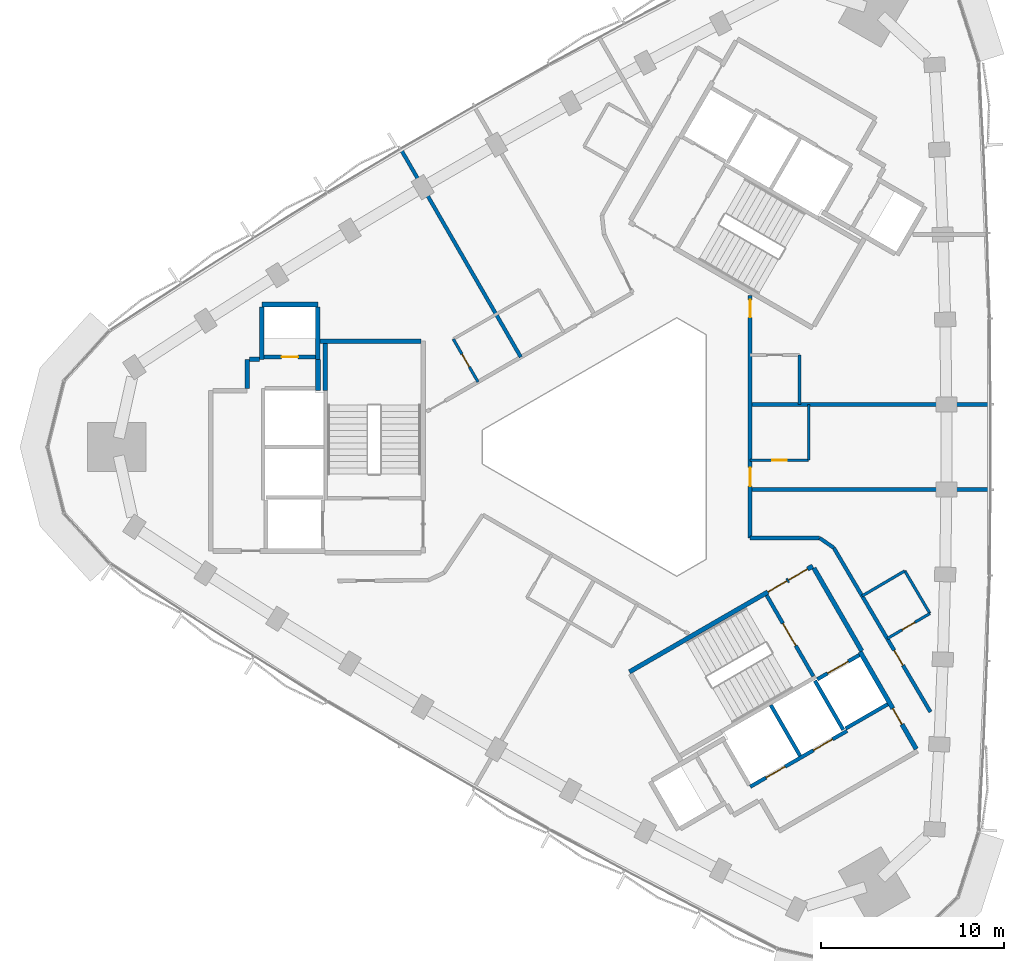
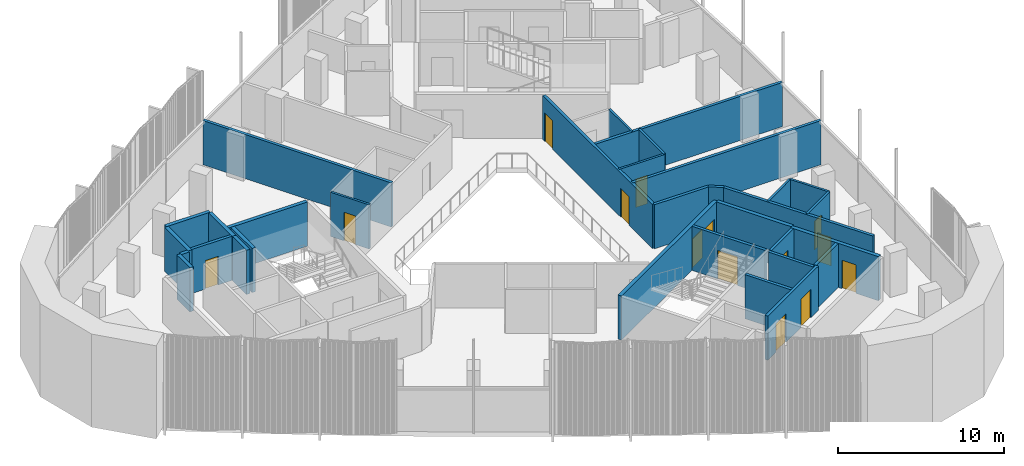
# One storey, part 8 of 13: 32 walls, 14 doors, 14 openings.
"""IFC4 building model written with IfcOpenShell, lengths in metres."""

from ifc_helpers import new_model, si_unit, direction, frame, frame_2d, origin, place, context, subcontext, project, spatial, rectangle, extrude, material, layer, layer_set, type_object, element, fill, save


model = new_model("IFC4")

# Units and contexts
model_context = context("Model", 3, precision=1e-05, world=origin(), true_north=direction((0.0, 1.0)))
body_context = subcontext(model_context, "Body", "Model", "MODEL_VIEW")
ifc_project = project(units=[si_unit("LENGTHUNIT", "METRE"), si_unit("AREAUNIT", "SQUARE_METRE"), si_unit("VOLUMEUNIT", "CUBIC_METRE"), si_unit("PLANEANGLEUNIT", "RADIAN"), si_unit("MASSUNIT", "GRAM", prefix="KILO")], contexts=[model_context])

# Site, building, storey
site_placement = place(None, origin())
site = spatial("IfcSite", under=ifc_project, at=site_placement, CompositionType="ELEMENT")
building_placement = place(site_placement, origin())
building = spatial("IfcBuilding", under=site, at=building_placement, Name="Tamra Quay Hotel Tower", CompositionType="ELEMENT")
storey_placement = place(building_placement, frame((0.0, 0.0, 186.39990234375)))
storey = spatial("IfcBuildingStorey", under=building, at=storey_placement, Name="L46", CompositionType="ELEMENT", Elevation=186.39990234375)

# Wall, opening, door
ifc_material_1 = material(Name="Concrete M70", Category="concrete")
ifc_layer_1 = layer(ifc_material_1, 0.199951171875)
ifc_layer_set_1 = layer_set([ifc_layer_1], Name="Concrete M70 core wall 200")
wall_type_1 = type_object("IfcWallType", Name="Concrete M70 core wall 200", PredefinedType="SHEAR", material=ifc_layer_set_1)
wall_1_placement = place(storey_placement, frame((-19.51123046875, 4.91015625, 0.0), z_axis=(0.0, 0.0, 1.0), x_axis=(1.0, 0.0, 0.0)))
wall_1 = element("IfcWall", 1, at=wall_1_placement, inside=storey, type_object=wall_type_1, Name="CW2", PredefinedType="SHEAR", context=body_context, shape_type="SweptSolid", body=[
    extrude(rectangle(XDim=2.7978515625, YDim=0.199951171875, at=frame_2d((1.39892578125, 0.0))), origin(), (0.0, 0.0, 1.0), 3.25),
])
opening_1_placement = place(wall_1_placement, frame((0.948974609375, 0.0, 0.0)))
opening_1 = element("IfcOpeningElement", 2, at=opening_1_placement, cuts=wall_1, Name="Opening D1", PredefinedType="OPENING", context=body_context, shape_type="SweptSolid", body=[
    extrude(rectangle(XDim=0.89990234375, YDim=2.10009765625, at=frame_2d((0.449951171875, 1.050048828125))), frame((0.0, 0.10986328125, 0.0), z_axis=(0.0, -1.0, 0.0), x_axis=(1.0, 0.0, 0.0)), (0.0, 0.0, 1.0), 0.219970703125),
])
ifc_material_2 = material(Name="Core door D1 900x2100 RH")
door_type_1 = type_object("IfcDoorType", Name="Core door D1 900x2100 RH", OperationType="NOTDEFINED", PredefinedType="DOOR", material=ifc_material_2)
door_1_placement = place(opening_1_placement, origin())
door_1 = element("IfcDoor", 3, at=door_1_placement, inside=storey, type_object=door_type_1, Name="D1", OperationType="SINGLE_SWING_RIGHT", OverallHeight=2.10009765625, OverallWidth=0.89990234375, PredefinedType="DOOR", context=body_context, shape_type="SweptSolid", body=[
    extrude(rectangle(XDim=0.89990234375, YDim=2.10009765625, at=frame_2d((0.449951171875, 1.050048828125))), frame((0.0, 0.02490234375, 0.0), z_axis=(0.0, -1.0, 0.0), x_axis=(1.0, 0.0, 0.0)), (0.0, 0.0, 1.0), 0.050048828125),
])
fill(opening_1, door_1)

# Wall, openings, doors
wall_2_placement = place(storey_placement, frame((7.009765625, -18.54150390625, 0.0), z_axis=(0.0, 0.0, 1.0), x_axis=(0.866030299012, 0.499991521122, 0.0)))
wall_2 = element("IfcWall", 4, at=wall_2_placement, inside=storey, type_object=wall_type_1, Name="CW2", PredefinedType="SHEAR", context=body_context, shape_type="SweptSolid", body=[
    extrude(rectangle(XDim=6.10009765625, YDim=0.199951171875, at=frame_2d((3.050048828125, 0.0))), origin(), (0.0, 0.0, 1.0), 3.25),
])
opening_2_placement = place(wall_2_placement, frame((1.0, 0.0, 0.0)))
opening_2 = element("IfcOpeningElement", 5, at=opening_2_placement, cuts=wall_2, Name="Opening LD", PredefinedType="OPENING", context=body_context, shape_type="SweptSolid", body=[
    extrude(rectangle(XDim=1.199951171875, YDim=2.10009765625, at=frame_2d((0.60009765625, 1.050048828125))), frame((0.0, 0.10986328125, 0.0), z_axis=(0.0, -1.0, 0.0), x_axis=(1.0, 0.0, 0.0)), (0.0, 0.0, 1.0), 0.219970703125),
])
opening_3_placement = place(wall_2_placement, frame((3.982177734375, 0.0, 0.0)))
opening_3 = element("IfcOpeningElement", 6, at=opening_3_placement, cuts=wall_2, Name="Opening LD", PredefinedType="OPENING", context=body_context, shape_type="SweptSolid", body=[
    extrude(rectangle(XDim=1.199951171875, YDim=2.10009765625, at=frame_2d((0.60009765625, 1.050048828125))), frame((0.0, 0.10986328125, 0.0), z_axis=(0.0, -1.0, 0.0), x_axis=(1.0, 0.0, 0.0)), (0.0, 0.0, 1.0), 0.219970703125),
])
ifc_material_3 = material(Name="Landing door LD 1200 double door sliding")
door_type_2 = type_object("IfcDoorType", Name="Landing door LD 1200 double door sliding", OperationType="DOUBLE_DOOR_SLIDING", PredefinedType="DOOR", material=ifc_material_3)
door_2_placement = place(opening_2_placement, origin())
door_2 = element("IfcDoor", 7, at=door_2_placement, inside=storey, type_object=door_type_2, Name="LD", OperationType="DOUBLE_DOOR_SLIDING", OverallHeight=2.10009765625, OverallWidth=1.199951171875, PredefinedType="DOOR", context=body_context, shape_type="SweptSolid", body=[
    extrude(rectangle(XDim=1.199951171875, YDim=2.10009765625, at=frame_2d((0.60009765625, 1.050048828125))), frame((0.0, 0.02490234375, 0.0), z_axis=(0.0, -1.0, 0.0), x_axis=(1.0, 0.0, 0.0)), (0.0, 0.0, 1.0), 0.050048828125),
])
fill(opening_2, door_2)
door_3_placement = place(opening_3_placement, origin())
door_3 = element("IfcDoor", 8, at=door_3_placement, inside=storey, type_object=door_type_2, Name="LD", OperationType="DOUBLE_DOOR_SLIDING", OverallHeight=2.10009765625, OverallWidth=1.199951171875, PredefinedType="DOOR", context=body_context, shape_type="SweptSolid", body=[
    extrude(rectangle(XDim=1.199951171875, YDim=2.10009765625, at=frame_2d((0.60009765625, 1.050048828125))), frame((0.0, 0.02490234375, 0.0), z_axis=(0.0, -1.0, 0.0), x_axis=(1.0, 0.0, 0.0)), (0.0, 0.0, 1.0), 0.050048828125),
])
fill(opening_3, door_3)

# Wall, opening, door
wall_3_placement = place(storey_placement, frame((7.906494140625, -8.094482421875, 0.0), z_axis=(0.0, 0.0, 1.0), x_axis=(0.500027839223, -0.866009330205, 0.0)))
wall_3 = element("IfcWall", 9, at=wall_3_placement, inside=storey, type_object=wall_type_1, Name="CW2", PredefinedType="SHEAR", context=body_context, shape_type="SweptSolid", body=[
    extrude(rectangle(XDim=5.097900390625, YDim=0.199951171875, at=frame_2d((2.548828125, 0.0))), origin(), (0.0, 0.0, 1.0), 3.25),
])
opening_4_placement = place(wall_3_placement, frame((1.77392578125, 0.0, 0.0)))
opening_4 = element("IfcOpeningElement", 10, at=opening_4_placement, cuts=wall_3, Name="Opening FD2", PredefinedType="OPENING", context=body_context, shape_type="SweptSolid", body=[
    extrude(rectangle(XDim=1.39990234375, YDim=2.10009765625, at=frame_2d((0.699951171875, 1.050048828125))), frame((0.0, 0.10986328125, 0.0), z_axis=(0.0, -1.0, 0.0), x_axis=(1.0, 0.0, 0.0)), (0.0, 0.0, 1.0), 0.219970703125),
])
ifc_material_4 = material(Name="Core door FD2 1400x2100 RH")
door_type_3 = type_object("IfcDoorType", Name="Core door FD2 1400x2100 RH", OperationType="NOTDEFINED", PredefinedType="DOOR", material=ifc_material_4)
door_4_placement = place(opening_4_placement, origin())
door_4 = element("IfcDoor", 11, at=door_4_placement, inside=storey, type_object=door_type_3, Name="FD2", OperationType="SINGLE_SWING_RIGHT", OverallHeight=2.10009765625, OverallWidth=1.39990234375, PredefinedType="DOOR", context=body_context, shape_type="SweptSolid", body=[
    extrude(rectangle(XDim=1.39990234375, YDim=2.10009765625, at=frame_2d((0.699951171875, 1.050048828125))), frame((0.0, 0.02490234375, 0.0), z_axis=(0.0, -1.0, 0.0), x_axis=(1.0, 0.0, 0.0)), (0.0, 0.0, 1.0), 0.050048828125),
])
fill(opening_4, door_4)

# Walls
wall_4_placement = place(storey_placement, frame((8.131591796875, -14.084228515625, 0.0), z_axis=(0.0, 0.0, 1.0), x_axis=(0.499997778408, -0.866026686418, 0.0)))
element("IfcWall", 12, at=wall_4_placement, inside=storey, type_object=wall_type_1, Name="CW2", PredefinedType="SHEAR", context=body_context, shape_type="SweptSolid", body=[
    extrude(rectangle(XDim=3.1982421875, YDim=0.199951171875, at=frame_2d((1.59912109375, 0.0))), origin(), (0.0, 0.0, 1.0), 3.25),
])
wall_5_placement = place(storey_placement, frame((12.087646484375, -15.4365234375, 0.0), z_axis=(0.0, 0.0, 1.0), x_axis=(-0.500026960575, 0.86600983753, 0.0)))
element("IfcWall", 13, at=wall_5_placement, inside=storey, type_object=wall_type_1, Name="CW2", PredefinedType="SHEAR", context=body_context, shape_type="SweptSolid", body=[
    extrude(rectangle(XDim=3.099853515625, YDim=0.199951171875, at=frame_2d((1.5498046875, 0.0))), origin(), (0.0, 0.0, 1.0), 3.25),
])

# Wall, opening, door
wall_6_placement = place(storey_placement, frame((10.666015625, -12.677734375, 0.0), z_axis=(0.0, 0.0, 1.0), x_axis=(0.866018407898, 0.500012117035, 0.0)))
wall_6 = element("IfcWall", 14, at=wall_6_placement, inside=storey, type_object=wall_type_1, Name="CW2", PredefinedType="SHEAR", context=body_context, shape_type="SweptSolid", body=[
    extrude(rectangle(XDim=2.65087890625, YDim=0.199951171875, at=frame_2d((1.325439453125, 0.0))), origin(), (0.0, 0.0, 1.0), 3.25),
])
opening_5_placement = place(wall_6_placement, frame((0.65185546875, 0.0, 0.0)))
opening_5 = element("IfcOpeningElement", 15, at=opening_5_placement, cuts=wall_6, Name="Opening LD", PredefinedType="OPENING", context=body_context, shape_type="SweptSolid", body=[
    extrude(rectangle(XDim=1.300048828125, YDim=2.10009765625, at=frame_2d((0.64990234375, 1.050048828125))), frame((0.0, 0.10986328125, 0.0), z_axis=(0.0, -1.0, 0.0), x_axis=(1.0, 0.0, 0.0)), (0.0, 0.0, 1.0), 0.219970703125),
])
ifc_material_5 = material(Name="Landing door LD 1300 sliding to right")
door_type_4 = type_object("IfcDoorType", Name="Landing door LD 1300 sliding to right", OperationType="NOTDEFINED", PredefinedType="DOOR", material=ifc_material_5)
door_5_placement = place(opening_5_placement, origin())
door_5 = element("IfcDoor", 16, at=door_5_placement, inside=storey, type_object=door_type_4, Name="LD", OperationType="SLIDING_TO_RIGHT", OverallHeight=2.10009765625, OverallWidth=1.300048828125, PredefinedType="DOOR", context=body_context, shape_type="SweptSolid", body=[
    extrude(rectangle(XDim=1.300048828125, YDim=2.10009765625, at=frame_2d((0.64990234375, 1.050048828125))), frame((0.0, 0.02490234375, 0.0), z_axis=(0.0, -1.0, 0.0), x_axis=(1.0, 0.0, 0.0)), (0.0, 0.0, 1.0), 0.050048828125),
])
fill(opening_5, door_5)

# Walls
wall_7_placement = place(storey_placement, frame((14.51171875, -14.037109375, 0.0), z_axis=(0.0, 0.0, 1.0), x_axis=(-0.866018407898, -0.500012117035, 0.0)))
element("IfcWall", 17, at=wall_7_placement, inside=storey, type_object=wall_type_1, Name="CW2", PredefinedType="SHEAR", context=body_context, shape_type="SweptSolid", body=[
    extrude(rectangle(XDim=2.65087890625, YDim=0.199951171875, at=frame_2d((1.325439453125, 0.0))), origin(), (0.0, 0.0, 1.0), 3.25),
])
ifc_layer_2 = layer(ifc_material_1, 0.25)
ifc_layer_set_2 = layer_set([ifc_layer_2], Name="Concrete M70 core wall 250")
wall_type_2 = type_object("IfcWallType", Name="Concrete M70 core wall 250", PredefinedType="SHEAR", material=ifc_layer_set_2)
wall_8_placement = place(storey_placement, frame((-16.47216796875, 5.77490234375, 0.0), z_axis=(0.0, 0.0, 1.0), x_axis=(1.0, 0.0, 0.0)))
element("IfcWall", 18, at=wall_8_placement, inside=storey, type_object=wall_type_2, Name="CW1", PredefinedType="SHEAR", context=body_context, shape_type="SweptSolid", body=[
    extrude(rectangle(XDim=5.509521484375, YDim=0.25, at=frame_2d((2.7548828125, 0.0))), origin(), (0.0, 0.0, 1.0), 3.25),
])
wall_9_placement = place(storey_placement, frame((-19.63720703125, 7.77490234375, 0.0), z_axis=(0.0, 0.0, 1.0), x_axis=(1.0, 0.0, 0.0)))
element("IfcWall", 19, at=wall_9_placement, inside=storey, type_object=wall_type_2, Name="CW1", PredefinedType="SHEAR", context=body_context, shape_type="SweptSolid", body=[
    extrude(rectangle(XDim=3.0498046875, YDim=0.25, at=frame_2d((1.52490234375, 0.0))), origin(), (0.0, 0.0, 1.0), 3.25),
])
for number, where, z_axis, x_axis, name in (
    (20, (-16.58740234375, 7.649658203125, 0.0), (0.0, 0.0, 1.0), (0.0, -1.0, 0.0), "CW1"),
    (21, (-19.63720703125, 4.784912109375, 0.0), (0.0, 0.0, 1.0), (0.0, 1.0, 0.0), "CW1"),
):
    element("IfcWall", number, at=place(storey_placement, frame(where, z_axis=z_axis, x_axis=x_axis)), inside=storey, type_object=wall_type_2, Name=name, PredefinedType="SHEAR", context=body_context, shape_type="SweptSolid", body=[
        extrude(rectangle(XDim=2.86474609375, YDim=0.25, at=frame_2d((1.432373046875, 0.0))), origin(), (0.0, 0.0, 1.0), 3.25),
    ])
wall_10_placement = place(storey_placement, frame((-16.187255859375, 3.074951171875, 0.0), z_axis=(0.0, 0.0, 1.0), x_axis=(0.0, 1.0, 0.0)))
element("IfcWall", 22, at=wall_10_placement, inside=storey, type_object=wall_type_2, Name="CW1", PredefinedType="SHEAR", context=body_context, shape_type="SweptSolid", body=[
    extrude(rectangle(XDim=2.57470703125, YDim=0.25, at=frame_2d((1.287353515625, 0.0))), origin(), (0.0, 0.0, 1.0), 3.25),
])
wall_11_placement = place(storey_placement, frame((-16.577392578125, 4.784912109375, 0.0), z_axis=(0.0, 0.0, 1.0), x_axis=(0.0, -1.0, 0.0)))
element("IfcWall", 23, at=wall_11_placement, inside=storey, type_object=wall_type_2, Name="CW1", PredefinedType="SHEAR", context=body_context, shape_type="SweptSolid", body=[
    extrude(rectangle(XDim=1.7099609375, YDim=0.25, at=frame_2d((0.85498046875, 0.0))), origin(), (0.0, 0.0, 1.0), 3.25),
])
wall_12_placement = place(storey_placement, frame((-20.447265625, 3.200439453125, 0.0), z_axis=(0.0, 0.0, 1.0), x_axis=(0.0, 1.0, 0.0)))
element("IfcWall", 24, at=wall_12_placement, inside=storey, type_object=wall_type_2, Name="CW1", PredefinedType="SHEAR", context=body_context, shape_type="SweptSolid", body=[
    extrude(rectangle(XDim=1.58447265625, YDim=0.25, at=frame_2d((0.792236328125, 0.0))), origin(), (0.0, 0.0, 1.0), 3.25),
])
wall_13_placement = place(storey_placement, frame((-20.32177734375, 4.784912109375, 0.0), z_axis=(0.0, 0.0, 1.0), x_axis=(1.0, 0.0, 0.0)))
element("IfcWall", 25, at=wall_13_placement, inside=storey, type_object=wall_type_2, Name="CW1", PredefinedType="SHEAR", context=body_context, shape_type="SweptSolid", body=[
    extrude(rectangle(XDim=0.55908203125, YDim=0.25, at=frame_2d((0.279541015625, 0.0))), origin(), (0.0, 0.0, 1.0), 3.25),
])

# Wall, openings, doors
wall_14_placement = place(storey_placement, frame((0.417236328125, -12.27294921875, 0.0), z_axis=(0.0, 0.0, 1.0), x_axis=(0.866021906294, 0.500006057782, 0.0)))
wall_14 = element("IfcWall", 26, at=wall_14_placement, inside=storey, type_object=wall_type_2, Name="CW1", PredefinedType="SHEAR", context=body_context, shape_type="SweptSolid", body=[
    extrude(rectangle(XDim=11.550048828125, YDim=0.25, at=frame_2d((5.77490234375, 0.0))), origin(), (0.0, 0.0, 1.0), 3.25),
])
opening_6_placement = place(wall_14_placement, frame((10.024658203125, 0.0, 0.0)))
opening_6 = element("IfcOpeningElement", 27, at=opening_6_placement, cuts=wall_14, Name="Opening FD1", PredefinedType="OPENING", context=body_context, shape_type="SweptSolid", body=[
    extrude(rectangle(XDim=1.199951171875, YDim=2.10009765625, at=frame_2d((0.60009765625, 1.050048828125))), frame((0.0, 0.135009765625, 0.0), z_axis=(0.0, -1.0, 0.0), x_axis=(1.0, 0.0, 0.0)), (0.0, 0.0, 1.0), 0.27001953125),
])
opening_7_placement = place(wall_14_placement, frame((8.724609375, 0.0, 0.0)))
opening_7 = element("IfcOpeningElement", 28, at=opening_7_placement, cuts=wall_14, Name="Opening FD1", PredefinedType="OPENING", context=body_context, shape_type="SweptSolid", body=[
    extrude(rectangle(XDim=1.199951171875, YDim=2.10009765625, at=frame_2d((0.60009765625, 1.050048828125))), frame((0.0, 0.135009765625, 0.0), z_axis=(0.0, -1.0, 0.0), x_axis=(1.0, 0.0, 0.0)), (0.0, 0.0, 1.0), 0.27001953125),
])
ifc_material_6 = material(Name="Core door FD1 1200x2100 LH")
door_type_5 = type_object("IfcDoorType", Name="Core door FD1 1200x2100 LH", OperationType="NOTDEFINED", PredefinedType="DOOR", material=ifc_material_6)
door_6_placement = place(opening_6_placement, origin())
door_6 = element("IfcDoor", 29, at=door_6_placement, inside=storey, type_object=door_type_5, Name="FD1", OperationType="SINGLE_SWING_LEFT", OverallHeight=2.10009765625, OverallWidth=1.199951171875, PredefinedType="DOOR", context=body_context, shape_type="SweptSolid", body=[
    extrude(rectangle(XDim=1.199951171875, YDim=2.10009765625, at=frame_2d((0.60009765625, 1.050048828125))), frame((0.0, 0.02490234375, 0.0), z_axis=(0.0, -1.0, 0.0), x_axis=(1.0, 0.0, 0.0)), (0.0, 0.0, 1.0), 0.050048828125),
])
fill(opening_6, door_6)
ifc_material_7 = material(Name="Core door FD1 1200x2100 RH")
door_type_6 = type_object("IfcDoorType", Name="Core door FD1 1200x2100 RH", OperationType="NOTDEFINED", PredefinedType="DOOR", material=ifc_material_7)
door_7_placement = place(opening_7_placement, origin())
door_7 = element("IfcDoor", 30, at=door_7_placement, inside=storey, type_object=door_type_6, Name="FD1", OperationType="SINGLE_SWING_RIGHT", OverallHeight=2.10009765625, OverallWidth=1.199951171875, PredefinedType="DOOR", context=body_context, shape_type="SweptSolid", body=[
    extrude(rectangle(XDim=1.199951171875, YDim=2.10009765625, at=frame_2d((0.60009765625, 1.050048828125))), frame((0.0, 0.02490234375, 0.0), z_axis=(0.0, -1.0, 0.0), x_axis=(1.0, 0.0, 0.0)), (0.0, 0.0, 1.0), 0.050048828125),
])
fill(opening_7, door_7)

# Wall, opening, door
wall_15_placement = place(storey_placement, frame((13.00830078125, -11.18115234375, 0.0), z_axis=(0.0, 0.0, 1.0), x_axis=(0.500001955336, -0.866024274868, 0.0)))
wall_15 = element("IfcWall", 31, at=wall_15_placement, inside=storey, type_object=wall_type_2, Name="CW1", PredefinedType="SHEAR", context=body_context, shape_type="SweptSolid", body=[
    extrude(rectangle(XDim=6.12451171875, YDim=0.25, at=frame_2d((3.062255859375, 0.0))), origin(), (0.0, 0.0, 1.0), 3.25),
])
opening_8_placement = place(wall_15_placement, frame((3.562744140625, 0.0, 0.0)))
opening_8 = element("IfcOpeningElement", 32, at=opening_8_placement, cuts=wall_15, Name="Opening FD3", PredefinedType="OPENING", context=body_context, shape_type="SweptSolid", body=[
    extrude(rectangle(XDim=1.0, YDim=2.10009765625, at=frame_2d((0.5, 1.050048828125))), frame((0.0, 0.135009765625, 0.0), z_axis=(0.0, -1.0, 0.0), x_axis=(1.0, 0.0, 0.0)), (0.0, 0.0, 1.0), 0.27001953125),
])
ifc_material_8 = material(Name="Core door FD3 1000x2100 LH")
door_type_7 = type_object("IfcDoorType", Name="Core door FD3 1000x2100 LH", OperationType="NOTDEFINED", PredefinedType="DOOR", material=ifc_material_8)
door_8_placement = place(opening_8_placement, origin())
door_8 = element("IfcDoor", 33, at=door_8_placement, inside=storey, type_object=door_type_7, Name="FD3", OperationType="SINGLE_SWING_LEFT", OverallHeight=2.10009765625, OverallWidth=1.0, PredefinedType="DOOR", context=body_context, shape_type="SweptSolid", body=[
    extrude(rectangle(XDim=1.0, YDim=2.10009765625, at=frame_2d((0.5, 1.050048828125))), frame((0.0, 0.02490234375, 0.0), z_axis=(0.0, -1.0, 0.0), x_axis=(1.0, 0.0, 0.0)), (0.0, 0.0, 1.0), 0.050048828125),
])
fill(opening_8, door_8)

# Wall
wall_16_placement = place(storey_placement, frame((10.482666015625, -6.6064453125, 0.0), z_axis=(0.0, 0.0, 1.0), x_axis=(0.49999885962, -0.866026062182, 0.0)))
element("IfcWall", 34, at=wall_16_placement, inside=storey, type_object=wall_type_2, Name="CW1", PredefinedType="SHEAR", context=body_context, shape_type="SweptSolid", body=[
    extrude(rectangle(XDim=5.224609375, YDim=0.25, at=frame_2d((2.6123046875, 0.0))), origin(), (0.0, 0.0, 1.0), 3.25),
])

# Wall, openings, doors
ifc_material_9 = material(Name="Partition corridor wall")
ifc_layer_3 = layer(ifc_material_9, 0.199951171875)
ifc_layer_set_3 = layer_set([ifc_layer_3], Name="Partition corridor wall")
wall_type_3 = type_object("IfcWallType", Name="Partition corridor wall", PredefinedType="PARTITIONING", material=ifc_layer_set_3)
wall_17_placement = place(storey_placement, frame((7.0, -4.966064453125, 0.0), z_axis=(0.0, 0.0, 1.0), x_axis=(0.0, 1.0, 0.0)))
wall_17 = element("IfcWall", 35, at=wall_17_placement, inside=storey, type_object=wall_type_3, Name="W-C", PredefinedType="PARTITIONING", context=body_context, shape_type="SweptSolid", body=[
    extrude(rectangle(XDim=13.224853515625, YDim=0.199951171875, at=frame_2d((6.6123046875, 0.0))), origin(), (0.0, 0.0, 1.0), 3.25),
])
opening_9_placement = place(wall_17_placement, frame((2.8349609375, 0.0, 0.0)))
opening_9 = element("IfcOpeningElement", 36, at=opening_9_placement, cuts=wall_17, Name="Opening L46-D003", PredefinedType="OPENING", context=body_context, shape_type="SweptSolid", body=[
    extrude(rectangle(XDim=1.0, YDim=2.10009765625, at=frame_2d((0.5, 1.050048828125))), frame((0.0, 0.10986328125, 0.0), z_axis=(0.0, -1.0, 0.0), x_axis=(1.0, 0.0, 0.0)), (0.0, 0.0, 1.0), 0.219970703125),
])
opening_10_placement = place(wall_17_placement, frame((12.04541015625, 0.0, 0.0)))
opening_10 = element("IfcOpeningElement", 37, at=opening_10_placement, cuts=wall_17, Name="Opening L46-D005", PredefinedType="OPENING", context=body_context, shape_type="SweptSolid", body=[
    extrude(rectangle(XDim=0.949951171875, YDim=2.10009765625, at=frame_2d((0.47509765625, 1.050048828125))), frame((0.0, 0.10986328125, 0.0), z_axis=(0.0, -1.0, 0.0), x_axis=(1.0, 0.0, 0.0)), (0.0, 0.0, 1.0), 0.219970703125),
])
ifc_material_10 = material(Name="Door guest room 1000x2100")
door_type_8 = type_object("IfcDoorType", Name="Door guest room 1000x2100", OperationType="NOTDEFINED", PredefinedType="DOOR", material=ifc_material_10)
door_9_placement = place(opening_9_placement, frame((1.0, 0.0, 0.0), z_axis=(0.0, 0.0, 1.0), x_axis=(-1.0, 0.0, 0.0)))
door_9 = element("IfcDoor", 38, at=door_9_placement, inside=storey, type_object=door_type_8, Name="L46-D003", OperationType="SINGLE_SWING_LEFT", OverallHeight=2.10009765625, OverallWidth=1.0, PredefinedType="DOOR", context=body_context, shape_type="SweptSolid", body=[
    extrude(rectangle(XDim=1.0, YDim=2.10009765625, at=frame_2d((0.5, 1.050048828125))), frame((0.0, 0.02490234375, 0.0), z_axis=(0.0, -1.0, 0.0), x_axis=(1.0, 0.0, 0.0)), (0.0, 0.0, 1.0), 0.050048828125),
])
fill(opening_9, door_9)
ifc_material_11 = material(Name="Door guest room 950x2100")
door_type_9 = type_object("IfcDoorType", Name="Door guest room 950x2100", OperationType="NOTDEFINED", PredefinedType="DOOR", material=ifc_material_11)
door_10_placement = place(opening_10_placement, frame((0.949951171875, 0.0, 0.0), z_axis=(0.0, 0.0, 1.0), x_axis=(-1.0, 0.0, 0.0)))
door_10 = element("IfcDoor", 39, at=door_10_placement, inside=storey, type_object=door_type_9, Name="L46-D005", OperationType="SINGLE_SWING_LEFT", OverallHeight=2.10009765625, OverallWidth=0.949951171875, PredefinedType="DOOR", context=body_context, shape_type="SweptSolid", body=[
    extrude(rectangle(XDim=0.949951171875, YDim=2.10009765625, at=frame_2d((0.47509765625, 1.050048828125))), frame((0.0, 0.02490234375, 0.0), z_axis=(0.0, -1.0, 0.0), x_axis=(1.0, 0.0, 0.0)), (0.0, 0.0, 1.0), 0.050048828125),
])
fill(opening_10, door_10)

# Walls
wall_18_placement = place(storey_placement, frame((7.0, -4.966064453125, 0.0), z_axis=(0.0, 0.0, 1.0), x_axis=(1.0, 0.0, 0.0)))
element("IfcWall", 40, at=wall_18_placement, inside=storey, type_object=wall_type_3, Name="W-C", PredefinedType="PARTITIONING", context=body_context, shape_type="SweptSolid", body=[
    extrude(rectangle(XDim=3.79296875, YDim=0.199951171875, at=frame_2d((1.896484375, 0.0))), origin(), (0.0, 0.0, 1.0), 3.25),
])
wall_19_placement = place(storey_placement, frame((10.7939453125, -4.966064453125, 0.0), z_axis=(0.0, 0.0, 1.0), x_axis=(0.822266583859, -0.569102508401, 0.0)))
element("IfcWall", 41, at=wall_19_placement, inside=storey, type_object=wall_type_3, Name="W-C", PredefinedType="PARTITIONING", context=body_context, shape_type="SweptSolid", body=[
    extrude(rectangle(XDim=0.945068359375, YDim=0.199951171875, at=frame_2d((0.47265625, 0.0))), origin(), (0.0, 0.0, 1.0), 3.25),
])

# Wall, opening, door
wall_20_placement = place(storey_placement, frame((11.571044921875, -5.5048828125, 0.0), z_axis=(0.0, 0.0, 1.0), x_axis=(0.507402039651, -0.861709446483, 0.0)))
wall_20 = element("IfcWall", 42, at=wall_20_placement, inside=storey, type_object=wall_type_3, Name="W-C", PredefinedType="PARTITIONING", context=body_context, shape_type="SweptSolid", body=[
    extrude(rectangle(XDim=10.39111328125, YDim=0.199951171875, at=frame_2d((5.195556640625, 0.0))), origin(), (0.0, 0.0, 1.0), 3.25),
])
opening_11_placement = place(wall_20_placement, frame((6.4912109375, 0.0, 0.0)))
opening_11 = element("IfcOpeningElement", 43, at=opening_11_placement, cuts=wall_20, Name="Opening L46-D001", PredefinedType="OPENING", context=body_context, shape_type="SweptSolid", body=[
    extrude(rectangle(XDim=0.949951171875, YDim=2.10009765625, at=frame_2d((0.47509765625, 1.050048828125))), frame((0.0, 0.10986328125, 0.0), z_axis=(0.0, -1.0, 0.0), x_axis=(1.0, 0.0, 0.0)), (0.0, 0.0, 1.0), 0.219970703125),
])
door_11_placement = place(opening_11_placement, origin())
door_11 = element("IfcDoor", 44, at=door_11_placement, inside=storey, type_object=door_type_9, Name="L46-D001", OperationType="SINGLE_SWING_LEFT", OverallHeight=2.10009765625, OverallWidth=0.949951171875, PredefinedType="DOOR", context=body_context, shape_type="SweptSolid", body=[
    extrude(rectangle(XDim=0.949951171875, YDim=2.10009765625, at=frame_2d((0.47509765625, 1.050048828125))), frame((0.0, 0.02490234375, 0.0), z_axis=(0.0, -1.0, 0.0), x_axis=(1.0, 0.0, 0.0)), (0.0, 0.0, 1.0), 0.050048828125),
])
fill(opening_11, door_11)

ifc_material_12 = material(Name="Partition en-suite wall")
ifc_layer_4 = layer(ifc_material_12, 0.14990234375)
ifc_layer_set_4 = layer_set([ifc_layer_4], Name="Partition en-suite wall")
wall_type_4 = type_object("IfcWallType", Name="Partition en-suite wall", PredefinedType="PARTITIONING", material=ifc_layer_set_4)
wall_21_placement = place(storey_placement, frame((-9.195068359375, 5.888916015625, 0.0), z_axis=(0.0, 0.0, 1.0), x_axis=(0.500129820725, -0.865950438779, 0.0)))
wall_21 = element("IfcWall", 45, at=wall_21_placement, inside=storey, type_object=wall_type_4, Name="W-E", PredefinedType="PARTITIONING", context=body_context, shape_type="SweptSolid", body=[
    extrude(rectangle(XDim=2.697509765625, YDim=0.14990234375, at=frame_2d((1.3486328125, 0.0))), origin(), (0.0, 0.0, 1.0), 3.25),
])
opening_12_placement = place(wall_21_placement, frame((0.947509765625, 0.0, 0.0)))
opening_12 = element("IfcOpeningElement", 46, at=opening_12_placement, cuts=wall_21, Name="Opening L46-D017", PredefinedType="OPENING", context=body_context, shape_type="SweptSolid", body=[
    extrude(rectangle(XDim=0.800048828125, YDim=2.10009765625, at=frame_2d((0.39990234375, 1.050048828125))), frame((0.0, 0.0849609375, 0.0), z_axis=(0.0, -1.0, 0.0), x_axis=(1.0, 0.0, 0.0)), (0.0, 0.0, 1.0), 0.169921875),
])
ifc_material_13 = material(Name="Door en-suite 800x2100")
door_type_10 = type_object("IfcDoorType", Name="Door en-suite 800x2100", OperationType="NOTDEFINED", PredefinedType="DOOR", material=ifc_material_13)
door_12_placement = place(opening_12_placement, frame((0.800048828125, 0.0, 0.0), z_axis=(0.0, 0.0, 1.0), x_axis=(-1.0, 0.0, 0.0)))
door_12 = element("IfcDoor", 47, at=door_12_placement, inside=storey, type_object=door_type_10, Name="L46-D017", OperationType="SINGLE_SWING_LEFT", OverallHeight=2.10009765625, OverallWidth=0.800048828125, PredefinedType="DOOR", context=body_context, shape_type="SweptSolid", body=[
    extrude(rectangle(XDim=0.800048828125, YDim=2.10009765625, at=frame_2d((0.39990234375, 1.050048828125))), frame((0.0, 0.02490234375, 0.0), z_axis=(0.0, -1.0, 0.0), x_axis=(1.0, 0.0, 0.0)), (0.0, 0.0, 1.0), 0.050048828125),
])
fill(opening_12, door_12)

wall_22_placement = place(storey_placement, frame((7.0, -0.718994140625, 0.0), z_axis=(0.0, 0.0, 1.0), x_axis=(1.0, 0.0, 0.0)))
wall_22 = element("IfcWall", 48, at=wall_22_placement, inside=storey, type_object=wall_type_4, Name="W-E", PredefinedType="PARTITIONING", context=body_context, shape_type="SweptSolid", body=[
    extrude(rectangle(XDim=3.199951171875, YDim=0.14990234375, at=frame_2d((1.60009765625, 0.0))), origin(), (0.0, 0.0, 1.0), 3.25),
])
opening_13_placement = place(wall_22_placement, frame((1.199951171875, 0.0, 0.0)))
opening_13 = element("IfcOpeningElement", 49, at=opening_13_placement, cuts=wall_22, Name="Opening L46-D004", PredefinedType="OPENING", context=body_context, shape_type="SweptSolid", body=[
    extrude(rectangle(XDim=0.800048828125, YDim=2.10009765625, at=frame_2d((0.39990234375, 1.050048828125))), frame((0.0, 0.0849609375, 0.0), z_axis=(0.0, -1.0, 0.0), x_axis=(1.0, 0.0, 0.0)), (0.0, 0.0, 1.0), 0.169921875),
])
door_13_placement = place(opening_13_placement, origin())
door_13 = element("IfcDoor", 50, at=door_13_placement, inside=storey, type_object=door_type_10, Name="L46-D004", OperationType="SINGLE_SWING_LEFT", OverallHeight=2.10009765625, OverallWidth=0.800048828125, PredefinedType="DOOR", context=body_context, shape_type="SweptSolid", body=[
    extrude(rectangle(XDim=0.800048828125, YDim=2.10009765625, at=frame_2d((0.39990234375, 1.050048828125))), frame((0.0, 0.02490234375, 0.0), z_axis=(0.0, -1.0, 0.0), x_axis=(1.0, 0.0, 0.0)), (0.0, 0.0, 1.0), 0.050048828125),
])
fill(opening_13, door_13)

# Walls
wall_23_placement = place(storey_placement, frame((9.699951171875, 2.319091796875, 0.0), z_axis=(0.0, 0.0, 1.0), x_axis=(0.0, 1.0, 0.0)))
element("IfcWall", 51, at=wall_23_placement, inside=storey, type_object=wall_type_4, Name="W-E", PredefinedType="PARTITIONING", context=body_context, shape_type="SweptSolid", body=[
    extrude(rectangle(XDim=2.699951171875, YDim=0.14990234375, at=frame_2d((1.35009765625, 0.0))), origin(), (0.0, 0.0, 1.0), 3.25),
])
wall_24_placement = place(storey_placement, frame((10.199951171875, -0.718994140625, 0.0), z_axis=(0.0, 0.0, 1.0), x_axis=(0.0, 1.0, 0.0)))
element("IfcWall", 52, at=wall_24_placement, inside=storey, type_object=wall_type_4, Name="W-E", PredefinedType="PARTITIONING", context=body_context, shape_type="SweptSolid", body=[
    extrude(rectangle(XDim=3.0380859375, YDim=0.14990234375, at=frame_2d((1.51904296875, 0.0))), origin(), (0.0, 0.0, 1.0), 3.25),
])
wall_25_placement = place(storey_placement, frame((13.115966796875, -8.12890625, 0.0), z_axis=(0.0, 0.0, 1.0), x_axis=(0.861885352062, 0.507103184669, 0.0)))
element("IfcWall", 53, at=wall_25_placement, inside=storey, type_object=wall_type_4, Name="W-E", PredefinedType="PARTITIONING", context=body_context, shape_type="SweptSolid", body=[
    extrude(rectangle(XDim=2.697509765625, YDim=0.14990234375, at=frame_2d((1.3486328125, 0.0))), origin(), (0.0, 0.0, 1.0), 3.25),
])

# Wall, opening, door
wall_26_placement = place(storey_placement, frame((14.487060546875, -10.455078125, 0.0), z_axis=(0.0, 0.0, 1.0), x_axis=(0.861752634979, 0.507328686461, 0.0)))
wall_26 = element("IfcWall", 54, at=wall_26_placement, inside=storey, type_object=wall_type_4, Name="W-E", PredefinedType="PARTITIONING", context=body_context, shape_type="SweptSolid", body=[
    extrude(rectangle(XDim=2.69677734375, YDim=0.14990234375, at=frame_2d((1.348388671875, 0.0))), origin(), (0.0, 0.0, 1.0), 3.25),
])
opening_14_placement = place(wall_26_placement, frame((0.948486328125, 0.0, 0.0)))
opening_14 = element("IfcOpeningElement", 55, at=opening_14_placement, cuts=wall_26, Name="Opening L46-D002", PredefinedType="OPENING", context=body_context, shape_type="SweptSolid", body=[
    extrude(rectangle(XDim=0.800048828125, YDim=2.10009765625, at=frame_2d((0.39990234375, 1.050048828125))), frame((0.0, 0.0849609375, 0.0), z_axis=(0.0, -1.0, 0.0), x_axis=(1.0, 0.0, 0.0)), (0.0, 0.0, 1.0), 0.169921875),
])
door_14_placement = place(opening_14_placement, frame((0.800048828125, 0.0, 0.0), z_axis=(0.0, 0.0, 1.0), x_axis=(-1.0, 0.0, 0.0)))
door_14 = element("IfcDoor", 56, at=door_14_placement, inside=storey, type_object=door_type_10, Name="L46-D002", OperationType="SINGLE_SWING_LEFT", OverallHeight=2.10009765625, OverallWidth=0.800048828125, PredefinedType="DOOR", context=body_context, shape_type="SweptSolid", body=[
    extrude(rectangle(XDim=0.800048828125, YDim=2.10009765625, at=frame_2d((0.39990234375, 1.050048828125))), frame((0.0, 0.02490234375, 0.0), z_axis=(0.0, -1.0, 0.0), x_axis=(1.0, 0.0, 0.0)), (0.0, 0.0, 1.0), 0.050048828125),
])
fill(opening_14, door_14)

# Walls
wall_27_placement = place(storey_placement, frame((15.444091796875, -6.761962890625, 0.0), z_axis=(0.0, 0.0, 1.0), x_axis=(0.507578234334, -0.861605673165, 0.0)))
element("IfcWall", 57, at=wall_27_placement, inside=storey, type_object=wall_type_4, Name="W-E", PredefinedType="PARTITIONING", context=body_context, shape_type="SweptSolid", body=[
    extrude(rectangle(XDim=2.695068359375, YDim=0.14990234375, at=frame_2d((1.34765625, 0.0))), origin(), (0.0, 0.0, 1.0), 3.25),
])
ifc_material_14 = material(Name="Partition party wall")
ifc_layer_5 = layer(ifc_material_14, 0.199951171875)
ifc_layer_set_5 = layer_set([ifc_layer_5], Name="Partition party wall")
wall_type_5 = type_object("IfcWallType", Name="Partition party wall", PredefinedType="PARTITIONING", material=ifc_layer_set_5)
for number, where, z_axis, x_axis, name in (
    (58, (-12.0673828125, 16.263427734375, 0.0), (0.0, 0.0, 1.0), (0.500016190239, -0.866016056144, 0.0), "W-P"),
    (59, (7.0, 2.319091796875, 0.0), (0.0, 0.0, 1.0), (1.0, 0.0, 0.0), "W-P"),
):
    element("IfcWall", number, at=place(storey_placement, frame(where, z_axis=z_axis, x_axis=x_axis)), inside=storey, type_object=wall_type_5, Name=name, PredefinedType="PARTITIONING", context=body_context, shape_type="SweptSolid", body=[
        extrude(rectangle(XDim=13.1181640625, YDim=0.199951171875, at=frame_2d((6.55908203125, 0.0))), origin(), (0.0, 0.0, 1.0), 3.25),
    ])
wall_28_placement = place(storey_placement, frame((7.0009765625, -2.319091796875, 0.0), z_axis=(0.0, 0.0, 1.0), x_axis=(1.0, 0.0, 0.0)))
element("IfcWall", 60, at=wall_28_placement, inside=storey, type_object=wall_type_5, Name="W-P", PredefinedType="PARTITIONING", context=body_context, shape_type="SweptSolid", body=[
    extrude(rectangle(XDim=13.1171875, YDim=0.199951171875, at=frame_2d((6.55859375, 0.0))), origin(), (0.0, 0.0, 1.0), 3.25),
])

save(model, "model.ifc")
